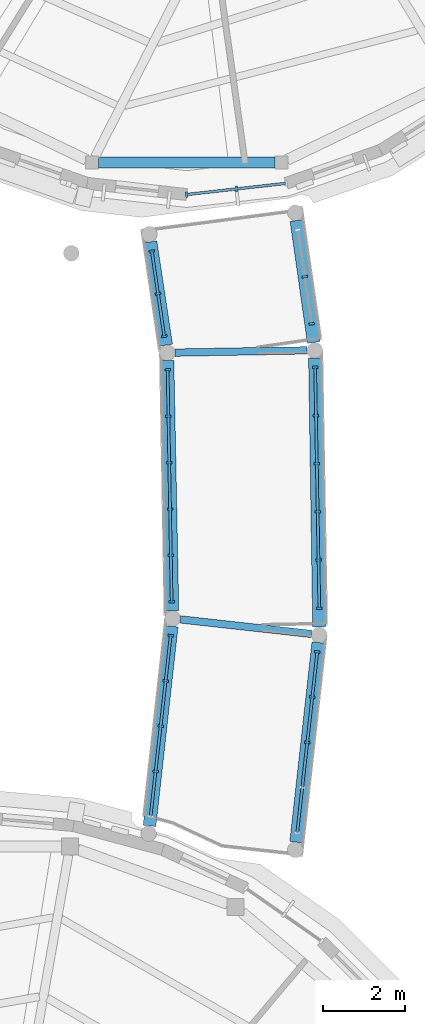
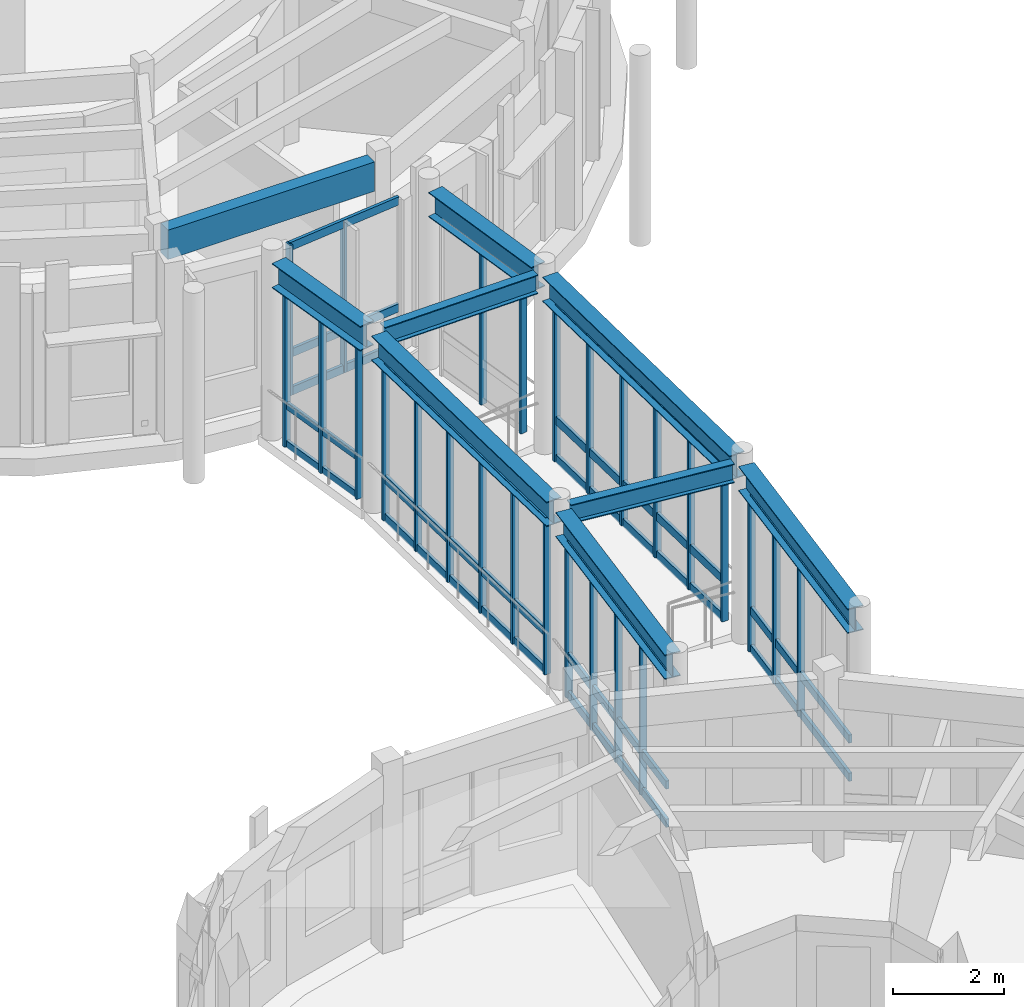
# One storey, part 9 of 80: 44 members, 9 beams, 7 elements without a shape of their own.
"""IFC4 building model written with IfcOpenShell, lengths in metres."""

from ifc_helpers import new_model, si_unit, direction, frame, origin, origin_2d, place, context, subcontext, project, spatial, rectangle, i_section, extrude, material, layer, layer_set, material_profile, profile_set, type_object, element, aggregate, save


model = new_model("IFC4")

# Units and contexts
model_context = context("Model", 3, precision=1e-05, world=origin(), true_north=direction((0.0, 1.0)))
body_context = subcontext(model_context, "Body", "Model", "MODEL_VIEW")
ifc_project = project(units=[si_unit("LENGTHUNIT", "METRE"), si_unit("AREAUNIT", "SQUARE_METRE"), si_unit("VOLUMEUNIT", "CUBIC_METRE"), si_unit("PLANEANGLEUNIT", "RADIAN"), si_unit("MASSUNIT", "GRAM", prefix="KILO")], contexts=[model_context])

# Site, building, storey
site_placement = place(None, origin())
site = spatial("IfcSite", under=ifc_project, at=site_placement, CompositionType="ELEMENT")
building_placement = place(site_placement, origin())
building = spatial("IfcBuilding", under=site, at=building_placement, Name="Aldenvaro Health Centre", CompositionType="ELEMENT")
storey_placement = place(building_placement, frame((0.0, 0.0, 4.550048828125)))
storey = spatial("IfcBuildingStorey", under=building, at=storey_placement, Name="L01", CompositionType="ELEMENT", Elevation=4.550048828125)

# Beams
ifc_material_1 = material(Name="Glulam GL28h", Category="wood")
ifc_material_profile_1 = material_profile(ifc_material_1, rectangle(XDim=0.264892578125, YDim=0.64599609375, at=origin_2d()), Name="GL 265x646", Category="wood")
ifc_profile_set_1 = profile_set([ifc_material_profile_1], Name="Glulam GL28h")
beam_type_1 = type_object("IfcBeamType", Name="BM-GL-646", PredefinedType="SPANDREL", material=ifc_profile_set_1)
beam_1_placement = place(storey_placement, frame((21.347900390625, 47.3798828125, 3.636962890625), z_axis=(1.0, 0.0, 0.0), x_axis=(0.0, 1.0, 0.0)))
element("IfcBeam", 1, at=beam_1_placement, inside=storey, type_object=beam_type_1, Name="D3 L01 perimeter spandrel 11", PredefinedType="SPANDREL", context=body_context, shape_type="SweptSolid", body=[
    extrude(rectangle(XDim=0.264892578125, YDim=0.64599609375, at=origin_2d()), origin(), (0.0, 0.0, 1.0), 4.30419921875),
])
ifc_material_2 = material(Name="Steel ASTM A992 Grade 50", Category="steel")
ifc_material_profile_2 = material_profile(ifc_material_2, i_section(OverallWidth=0.180908203125, OverallDepth=0.4169921875, WebThickness=0.010986328125, FlangeThickness=0.018310546875, at=origin_2d()), Name="W16X57", Category="steel")
ifc_profile_set_2 = profile_set([ifc_material_profile_2], Name="Steel ASTM A992 Grade 50")
beam_type_2 = type_object("IfcBeamType", Name="BM-ST-W16E", PredefinedType="JOIST", material=ifc_profile_set_2)
beam_2_placement = place(storey_placement, frame((23.343017578125, 36.235107421875, 3.740966796875), z_axis=(0.993861521401, -0.110631262663, 0.0), x_axis=(0.110631262663, 0.993861521401, 0.0)))
element("IfcBeam", 2, at=beam_2_placement, inside=storey, type_object=beam_type_2, Name="West South Curved Garden Walkway Arc 1 L01 cross beam 2", PredefinedType="JOIST", context=body_context, shape_type="SweptSolid", body=[
    extrude(i_section(OverallWidth=0.180908203125, OverallDepth=0.4169921875, WebThickness=0.010986328125, FlangeThickness=0.018310546875, at=origin_2d()), origin(), (0.0, 0.0, 1.0), 3.2197265625),
])
beam_3_placement = place(storey_placement, frame((23.216064453125, 42.742919921875, 3.740966796875), z_axis=(0.99984797924, 0.017436123681, 0.0), x_axis=(-0.017436123681, 0.99984797924, 0.0)))
element("IfcBeam", 3, at=beam_3_placement, inside=storey, type_object=beam_type_2, Name="West South Curved Garden Walkway Arc 2 L01 cross beam 2", PredefinedType="JOIST", context=body_context, shape_type="SweptSolid", body=[
    extrude(i_section(OverallWidth=0.180908203125, OverallDepth=0.4169921875, WebThickness=0.010986328125, FlangeThickness=0.018310546875, at=origin_2d()), origin(), (0.0, 0.0, 1.0), 3.220458984375),
])
ifc_material_profile_3 = material_profile(ifc_material_2, i_section(OverallWidth=0.31201171875, OverallDepth=0.54296875, WebThickness=0.0126953125, FlangeThickness=0.020263671875, at=origin_2d()), Name="W21X101", Category="steel")
ifc_profile_set_3 = profile_set([ifc_material_profile_3], Name="Steel ASTM A992 Grade 50")
beam_type_3 = type_object("IfcBeamType", Name="BM-ST-W21E", PredefinedType="BEAM", material=ifc_profile_set_3)
beam_4_placement = place(storey_placement, frame((22.592041015625, 31.197021484375, 3.678955078125), z_axis=(0.110415119833, 0.993885557452, 0.0), x_axis=(-0.993885557452, 0.110415119833, 0.0)))
element("IfcBeam", 4, at=beam_4_placement, inside=storey, type_object=beam_type_3, Name="West South Curved Garden Walkway Arc 1 L01 girder L-1", PredefinedType="BEAM", context=body_context, shape_type="SweptSolid", body=[
    extrude(i_section(OverallWidth=0.31201171875, OverallDepth=0.54296875, WebThickness=0.0126953125, FlangeThickness=0.020263671875, at=origin_2d()), origin(), (0.0, 0.0, 1.0), 4.89990234375),
])
beam_5_placement = place(storey_placement, frame((26.169921875, 30.800048828125, 3.678955078125), z_axis=(0.110436995899, 0.9938831269, 0.0), x_axis=(-0.9938831269, 0.110436995899, 0.0)))
element("IfcBeam", 5, at=beam_5_placement, inside=storey, type_object=beam_type_3, Name="West South Curved Garden Walkway Arc 1 L01 girder R-1", PredefinedType="BEAM", context=body_context, shape_type="SweptSolid", body=[
    extrude(i_section(OverallWidth=0.31201171875, OverallDepth=0.54296875, WebThickness=0.0126953125, FlangeThickness=0.020263671875, at=origin_2d()), origin(), (0.0, 0.0, 1.0), 4.89892578125),
])
beam_6_placement = place(storey_placement, frame((23.14990234375, 36.446044921875, 3.678955078125), z_axis=(-0.019634643065, 0.999807221814, 0.0), x_axis=(-0.999807221814, -0.019634643065, 0.0)))
element("IfcBeam", 6, at=beam_6_placement, inside=storey, type_object=beam_type_3, Name="West South Curved Garden Walkway Arc 2 L01 girder L-1", PredefinedType="BEAM", context=body_context, shape_type="SweptSolid", body=[
    extrude(i_section(OverallWidth=0.31201171875, OverallDepth=0.54296875, WebThickness=0.0126953125, FlangeThickness=0.020263671875, at=origin_2d()), origin(), (0.0, 0.0, 1.0), 6.105224609375),
])
beam_7_placement = place(storey_placement, frame((26.72900390625, 36.048095703125, 3.678955078125), z_axis=(-0.015247799437, 0.999883745549, 0.0), x_axis=(-0.999883745549, -0.015247799437, 0.0)))
element("IfcBeam", 7, at=beam_7_placement, inside=storey, type_object=beam_type_3, Name="West South Curved Garden Walkway Arc 2 L01 girder R-1", PredefinedType="BEAM", context=body_context, shape_type="SweptSolid", body=[
    extrude(i_section(OverallWidth=0.31201171875, OverallDepth=0.54296875, WebThickness=0.0126953125, FlangeThickness=0.020263671875, at=origin_2d()), origin(), (0.0, 0.0, 1.0), 6.564697265625),
])
beam_8_placement = place(storey_placement, frame((22.998046875, 42.927978515625, 3.678955078125), z_axis=(-0.150132174235, 0.988665934611, 0.0), x_axis=(-0.988665934611, -0.150132174235, 0.0)))
element("IfcBeam", 8, at=beam_8_placement, inside=storey, type_object=beam_type_3, Name="West South Curved Garden Walkway Arc 3 L01 girder L-1", PredefinedType="BEAM", context=body_context, shape_type="SweptSolid", body=[
    extrude(i_section(OverallWidth=0.31201171875, OverallDepth=0.54296875, WebThickness=0.0126953125, FlangeThickness=0.020263671875, at=origin_2d()), origin(), (0.0, 0.0, 1.0), 2.544921875),
])
beam_9_placement = place(storey_placement, frame((26.59912109375, 42.989990234375, 3.678955078125), z_axis=(-0.140432007513, 0.990090324802, 0.0), x_axis=(-0.990090324802, -0.140432007513, 0.0)))
element("IfcBeam", 9, at=beam_9_placement, inside=storey, type_object=beam_type_3, Name="West South Curved Garden Walkway Arc 3 L01 girder R-1", PredefinedType="BEAM", context=body_context, shape_type="SweptSolid", body=[
    extrude(i_section(OverallWidth=0.31201171875, OverallDepth=0.54296875, WebThickness=0.0126953125, FlangeThickness=0.020263671875, at=origin_2d()), origin(), (0.0, 0.0, 1.0), 3.005859375),
])

# Curtain wall, members
ifc_material_3 = material(Name="Anodised Aluminium 6063-T6", Category="aluminium")
ifc_layer_1 = layer(ifc_material_3, 0.195068359375, Name="Anodised Aluminium 6063-T6", Category="aluminium")
ifc_layer_set_1 = layer_set([ifc_layer_1], Name="Anodised Aluminium 6063-T6")
curtain_wall_type_1 = type_object("IfcCurtainWallType", Name="CW-CLN-02", PredefinedType="NOTDEFINED", material=ifc_layer_set_1)
curtain_wall_1_placement = place(storey_placement, origin())
curtain_wall_1 = element("IfcCurtainWall", 10, at=curtain_wall_1_placement, inside=storey, type_object=curtain_wall_type_1, Name="D3 L01 curtain wall bay 07", PredefinedType="NOTDEFINED")
ifc_material_profile_4 = material_profile(ifc_material_3, rectangle(XDim=0.06005859375, YDim=0.135009765625, at=origin_2d()), Name="ALU 60x135", Category="aluminium")
ifc_profile_set_4 = profile_set([ifc_material_profile_4], Name="Anodised Aluminium 6063-T6")
member_type_1 = type_object("IfcMemberType", Name="CWM-150", PredefinedType="MULLION", material=ifc_profile_set_4)
member_1_placement = place(storey_placement, frame((24.7119140625, 46.736083984375, 0.0), z_axis=(0.0, 0.0, 1.0), x_axis=(-0.993722777443, -0.111870646695, 0.0)))
member_1 = element("IfcMember", 11, at=member_1_placement, type_object=member_type_1, Name="D3 L01 curtain wall bay 07 mullion 2", PredefinedType="MULLION", context=body_context, shape_type="SweptSolid", body=[
    extrude(rectangle(XDim=0.06005859375, YDim=0.135009765625, at=origin_2d()), origin(), (0.0, 0.0, 1.0), 3.31396484375),
])
member_2_placement = place(storey_placement, frame((23.5, 46.60009765625, 0.0), z_axis=(0.0, 0.0, 1.0), x_axis=(-0.993722777443, -0.111870646695, 0.0)))
member_2 = element("IfcMember", 12, at=member_2_placement, type_object=member_type_1, Name="D3 L01 curtain wall bay 07 mullion 3", PredefinedType="MULLION", context=body_context, shape_type="SweptSolid", body=[
    extrude(rectangle(XDim=0.06005859375, YDim=0.135009765625, at=origin_2d()), origin(), (0.0, 0.0, 1.0), 3.31396484375),
])

ifc_layer_2 = layer(ifc_material_3, 0.2099609375, Name="Anodised Aluminium 6063-T6", Category="aluminium")
ifc_layer_set_2 = layer_set([ifc_layer_2], Name="Anodised Aluminium 6063-T6")
curtain_wall_type_2 = type_object("IfcCurtainWallType", Name="CW-BRG-03", PredefinedType="NOTDEFINED", material=ifc_layer_set_2)
curtain_wall_2_placement = place(storey_placement, origin())
curtain_wall_2 = element("IfcCurtainWall", 13, at=curtain_wall_2_placement, inside=storey, type_object=curtain_wall_type_2, Name="West South Curved Garden Walkway Arc 1 L01 glazed link wall L-1.1", PredefinedType="NOTDEFINED")
member_3_placement = place(storey_placement, frame((22.739990234375, 32.529052734375, 0.0), z_axis=(0.0, 0.0, 1.0), x_axis=(0.11038207653, 0.993889227822, 0.0)))
member_3 = element("IfcMember", 14, at=member_3_placement, type_object=member_type_1, Name="West South Curved Garden Walkway Arc 1 L01 glazed link wall L-1.1 mullion 2", PredefinedType="MULLION", context=body_context, shape_type="SweptSolid", body=[
    extrude(rectangle(XDim=0.06005859375, YDim=0.135009765625, at=origin_2d()), origin(), (0.0, 0.0, 1.0), 3.409912109375),
])
member_4_placement = place(storey_placement, frame((22.863037109375, 33.632080078125, 0.0), z_axis=(0.0, 0.0, 1.0), x_axis=(0.11038207653, 0.993889227822, 0.0)))
member_4 = element("IfcMember", 15, at=member_4_placement, type_object=member_type_1, Name="West South Curved Garden Walkway Arc 1 L01 glazed link wall L-1.1 mullion 3", PredefinedType="MULLION", context=body_context, shape_type="SweptSolid", body=[
    extrude(rectangle(XDim=0.06005859375, YDim=0.135009765625, at=origin_2d()), origin(), (0.0, 0.0, 1.0), 3.409912109375),
])
member_5_placement = place(storey_placement, frame((22.986083984375, 34.735107421875, 0.0), z_axis=(0.0, 0.0, 1.0), x_axis=(0.11038207653, 0.993889227822, 0.0)))
member_5 = element("IfcMember", 16, at=member_5_placement, type_object=member_type_1, Name="West South Curved Garden Walkway Arc 1 L01 glazed link wall L-1.1 mullion 4", PredefinedType="MULLION", context=body_context, shape_type="SweptSolid", body=[
    extrude(rectangle(XDim=0.06005859375, YDim=0.135009765625, at=origin_2d()), origin(), (0.0, 0.0, 1.0), 3.409912109375),
])
member_6_placement = place(storey_placement, frame((23.10791015625, 35.837890625, 0.0), z_axis=(0.0, 0.0, 1.0), x_axis=(0.11038207653, 0.993889227822, 0.0)))
member_6 = element("IfcMember", 17, at=member_6_placement, type_object=member_type_1, Name="West South Curved Garden Walkway Arc 1 L01 glazed link wall L-1.1 mullion 5", PredefinedType="MULLION", context=body_context, shape_type="SweptSolid", body=[
    extrude(rectangle(XDim=0.06005859375, YDim=0.135009765625, at=origin_2d()), origin(), (0.0, 0.0, 1.0), 3.409912109375),
])

curtain_wall_3_placement = place(storey_placement, origin())
curtain_wall_3 = element("IfcCurtainWall", 18, at=curtain_wall_3_placement, inside=storey, type_object=curtain_wall_type_2, Name="West South Curved Garden Walkway Arc 1 L01 glazed link wall R-1.1", PredefinedType="NOTDEFINED")
member_7_placement = place(storey_placement, frame((26.44091796875, 33.235107421875, 0.0), z_axis=(0.0, 0.0, 1.0), x_axis=(0.11038207653, 0.993889227822, 0.0)))
member_7 = element("IfcMember", 19, at=member_7_placement, type_object=member_type_1, Name="West South Curved Garden Walkway Arc 1 L01 glazed link wall R-1.1 mullion 3", PredefinedType="MULLION", context=body_context, shape_type="SweptSolid", body=[
    extrude(rectangle(XDim=0.06005859375, YDim=0.135009765625, at=origin_2d()), origin(), (0.0, 0.0, 1.0), 3.409912109375),
])
member_8_placement = place(storey_placement, frame((26.56396484375, 34.337890625, 0.0), z_axis=(0.0, 0.0, 1.0), x_axis=(0.11038207653, 0.993889227822, 0.0)))
member_8 = element("IfcMember", 20, at=member_8_placement, type_object=member_type_1, Name="West South Curved Garden Walkway Arc 1 L01 glazed link wall R-1.1 mullion 4", PredefinedType="MULLION", context=body_context, shape_type="SweptSolid", body=[
    extrude(rectangle(XDim=0.06005859375, YDim=0.135009765625, at=origin_2d()), origin(), (0.0, 0.0, 1.0), 3.409912109375),
])
member_9_placement = place(storey_placement, frame((26.68603515625, 35.44091796875, 0.0), z_axis=(0.0, 0.0, 1.0), x_axis=(0.11038207653, 0.993889227822, 0.0)))
member_9 = element("IfcMember", 21, at=member_9_placement, type_object=member_type_1, Name="West South Curved Garden Walkway Arc 1 L01 glazed link wall R-1.1 mullion 5", PredefinedType="MULLION", context=body_context, shape_type="SweptSolid", body=[
    extrude(rectangle(XDim=0.06005859375, YDim=0.135009765625, at=origin_2d()), origin(), (0.0, 0.0, 1.0), 3.409912109375),
])

curtain_wall_4_placement = place(storey_placement, origin())
curtain_wall_4 = element("IfcCurtainWall", 22, at=curtain_wall_4_placement, inside=storey, type_object=curtain_wall_type_2, Name="West South Curved Garden Walkway Arc 2 L01 glazed link wall L-1.1", PredefinedType="NOTDEFINED")
member_10_placement = place(storey_placement, frame((23.132080078125, 36.6650390625, 0.0), z_axis=(0.0, 0.0, 1.0), x_axis=(-0.017327194963, 0.999849872888, 0.0)))
member_10 = element("IfcMember", 23, at=member_10_placement, type_object=member_type_1, Name="West South Curved Garden Walkway Arc 2 L01 glazed link wall L-1.1 mullion 1", PredefinedType="MULLION", context=body_context, shape_type="SweptSolid", body=[
    extrude(rectangle(XDim=0.06005859375, YDim=0.135009765625, at=origin_2d()), origin(), (0.0, 0.0, 1.0), 3.409912109375),
])
member_11_placement = place(storey_placement, frame((23.112060546875, 37.7958984375, 0.0), z_axis=(0.0, 0.0, 1.0), x_axis=(-0.017327194963, 0.999849872888, 0.0)))
member_11 = element("IfcMember", 24, at=member_11_placement, type_object=member_type_1, Name="West South Curved Garden Walkway Arc 2 L01 glazed link wall L-1.1 mullion 2", PredefinedType="MULLION", context=body_context, shape_type="SweptSolid", body=[
    extrude(rectangle(XDim=0.06005859375, YDim=0.135009765625, at=origin_2d()), origin(), (0.0, 0.0, 1.0), 3.409912109375),
])
member_12_placement = place(storey_placement, frame((23.093017578125, 38.927001953125, 0.0), z_axis=(0.0, 0.0, 1.0), x_axis=(-0.017327194963, 0.999849872888, 0.0)))
member_12 = element("IfcMember", 25, at=member_12_placement, type_object=member_type_1, Name="West South Curved Garden Walkway Arc 2 L01 glazed link wall L-1.1 mullion 3", PredefinedType="MULLION", context=body_context, shape_type="SweptSolid", body=[
    extrude(rectangle(XDim=0.06005859375, YDim=0.135009765625, at=origin_2d()), origin(), (0.0, 0.0, 1.0), 3.409912109375),
])
member_13_placement = place(storey_placement, frame((23.072998046875, 40.05810546875, 0.0), z_axis=(0.0, 0.0, 1.0), x_axis=(-0.017327194963, 0.999849872888, 0.0)))
member_13 = element("IfcMember", 26, at=member_13_placement, type_object=member_type_1, Name="West South Curved Garden Walkway Arc 2 L01 glazed link wall L-1.1 mullion 4", PredefinedType="MULLION", context=body_context, shape_type="SweptSolid", body=[
    extrude(rectangle(XDim=0.06005859375, YDim=0.135009765625, at=origin_2d()), origin(), (0.0, 0.0, 1.0), 3.409912109375),
])
member_14_placement = place(storey_placement, frame((23.053955078125, 41.18896484375, 0.0), z_axis=(0.0, 0.0, 1.0), x_axis=(-0.017327194963, 0.999849872888, 0.0)))
member_14 = element("IfcMember", 27, at=member_14_placement, type_object=member_type_1, Name="West South Curved Garden Walkway Arc 2 L01 glazed link wall L-1.1 mullion 5", PredefinedType="MULLION", context=body_context, shape_type="SweptSolid", body=[
    extrude(rectangle(XDim=0.06005859375, YDim=0.135009765625, at=origin_2d()), origin(), (0.0, 0.0, 1.0), 3.409912109375),
])
member_15_placement = place(storey_placement, frame((23.033935546875, 42.320068359375, 0.0), z_axis=(0.0, 0.0, 1.0), x_axis=(-0.017327194963, 0.999849872888, 0.0)))
member_15 = element("IfcMember", 28, at=member_15_placement, type_object=member_type_1, Name="West South Curved Garden Walkway Arc 2 L01 glazed link wall L-1.1 mullion 6", PredefinedType="MULLION", context=body_context, shape_type="SweptSolid", body=[
    extrude(rectangle(XDim=0.06005859375, YDim=0.135009765625, at=origin_2d()), origin(), (0.0, 0.0, 1.0), 3.409912109375),
])

curtain_wall_5_placement = place(storey_placement, origin())
curtain_wall_5 = element("IfcCurtainWall", 29, at=curtain_wall_5_placement, inside=storey, type_object=curtain_wall_type_2, Name="West South Curved Garden Walkway Arc 2 L01 glazed link wall R-1.1", PredefinedType="NOTDEFINED")
member_16_placement = place(storey_placement, frame((26.735107421875, 36.508056640625, 0.0), z_axis=(0.0, 0.0, 1.0), x_axis=(-0.01736204042, 0.999849268416, 0.0)))
member_16 = element("IfcMember", 30, at=member_16_placement, type_object=member_type_1, Name="West South Curved Garden Walkway Arc 2 L01 glazed link wall R-1.1 mullion 1", PredefinedType="MULLION", context=body_context, shape_type="SweptSolid", body=[
    extrude(rectangle(XDim=0.06005859375, YDim=0.135009765625, at=origin_2d()), origin(), (0.0, 0.0, 1.0), 3.409912109375),
])
member_17_placement = place(storey_placement, frame((26.715087890625, 37.68310546875, 0.0), z_axis=(0.0, 0.0, 1.0), x_axis=(-0.01736204042, 0.999849268416, 0.0)))
member_17 = element("IfcMember", 31, at=member_17_placement, type_object=member_type_1, Name="West South Curved Garden Walkway Arc 2 L01 glazed link wall R-1.1 mullion 2", PredefinedType="MULLION", context=body_context, shape_type="SweptSolid", body=[
    extrude(rectangle(XDim=0.06005859375, YDim=0.135009765625, at=origin_2d()), origin(), (0.0, 0.0, 1.0), 3.409912109375),
])
member_18_placement = place(storey_placement, frame((26.694091796875, 38.85791015625, 0.0), z_axis=(0.0, 0.0, 1.0), x_axis=(-0.01736204042, 0.999849268416, 0.0)))
member_18 = element("IfcMember", 32, at=member_18_placement, type_object=member_type_1, Name="West South Curved Garden Walkway Arc 2 L01 glazed link wall R-1.1 mullion 3", PredefinedType="MULLION", context=body_context, shape_type="SweptSolid", body=[
    extrude(rectangle(XDim=0.06005859375, YDim=0.135009765625, at=origin_2d()), origin(), (0.0, 0.0, 1.0), 3.409912109375),
])
member_19_placement = place(storey_placement, frame((26.674072265625, 40.031982421875, 0.0), z_axis=(0.0, 0.0, 1.0), x_axis=(-0.01736204042, 0.999849268416, 0.0)))
member_19 = element("IfcMember", 33, at=member_19_placement, type_object=member_type_1, Name="West South Curved Garden Walkway Arc 2 L01 glazed link wall R-1.1 mullion 4", PredefinedType="MULLION", context=body_context, shape_type="SweptSolid", body=[
    extrude(rectangle(XDim=0.06005859375, YDim=0.135009765625, at=origin_2d()), origin(), (0.0, 0.0, 1.0), 3.409912109375),
])
member_20_placement = place(storey_placement, frame((26.653076171875, 41.20703125, 0.0), z_axis=(0.0, 0.0, 1.0), x_axis=(-0.01736204042, 0.999849268416, 0.0)))
member_20 = element("IfcMember", 34, at=member_20_placement, type_object=member_type_1, Name="West South Curved Garden Walkway Arc 2 L01 glazed link wall R-1.1 mullion 5", PredefinedType="MULLION", context=body_context, shape_type="SweptSolid", body=[
    extrude(rectangle(XDim=0.06005859375, YDim=0.135009765625, at=origin_2d()), origin(), (0.0, 0.0, 1.0), 3.409912109375),
])
member_21_placement = place(storey_placement, frame((26.633056640625, 42.382080078125, 0.0), z_axis=(0.0, 0.0, 1.0), x_axis=(-0.01736204042, 0.999849268416, 0.0)))
member_21 = element("IfcMember", 35, at=member_21_placement, type_object=member_type_1, Name="West South Curved Garden Walkway Arc 2 L01 glazed link wall R-1.1 mullion 6", PredefinedType="MULLION", context=body_context, shape_type="SweptSolid", body=[
    extrude(rectangle(XDim=0.06005859375, YDim=0.135009765625, at=origin_2d()), origin(), (0.0, 0.0, 1.0), 3.409912109375),
])

curtain_wall_6_placement = place(storey_placement, origin())
curtain_wall_6 = element("IfcCurtainWall", 36, at=curtain_wall_6_placement, inside=storey, type_object=curtain_wall_type_2, Name="West South Curved Garden Walkway Arc 3 L01 glazed link wall L-1.1", PredefinedType="NOTDEFINED")
member_22_placement = place(storey_placement, frame((22.951904296875, 43.14306640625, 0.0), z_axis=(0.0, 0.0, 1.0), x_axis=(-0.144628209814, 0.989486069091, 0.0)))
member_22 = element("IfcMember", 37, at=member_22_placement, type_object=member_type_1, Name="West South Curved Garden Walkway Arc 3 L01 glazed link wall L-1.1 mullion 1", PredefinedType="MULLION", context=body_context, shape_type="SweptSolid", body=[
    extrude(rectangle(XDim=0.06005859375, YDim=0.135009765625, at=origin_2d()), origin(), (0.0, 0.0, 1.0), 3.409912109375),
])
member_23_placement = place(storey_placement, frame((22.800048828125, 44.179931640625, 0.0), z_axis=(0.0, 0.0, 1.0), x_axis=(-0.144628209814, 0.989486069091, 0.0)))
member_23 = element("IfcMember", 38, at=member_23_placement, type_object=member_type_1, Name="West South Curved Garden Walkway Arc 3 L01 glazed link wall L-1.1 mullion 2", PredefinedType="MULLION", context=body_context, shape_type="SweptSolid", body=[
    extrude(rectangle(XDim=0.06005859375, YDim=0.135009765625, at=origin_2d()), origin(), (0.0, 0.0, 1.0), 3.409912109375),
])
member_24_placement = place(storey_placement, frame((22.64892578125, 45.216064453125, 0.0), z_axis=(0.0, 0.0, 1.0), x_axis=(-0.144628209814, 0.989486069091, 0.0)))
member_24 = element("IfcMember", 39, at=member_24_placement, type_object=member_type_1, Name="West South Curved Garden Walkway Arc 3 L01 glazed link wall L-1.1 mullion 3", PredefinedType="MULLION", context=body_context, shape_type="SweptSolid", body=[
    extrude(rectangle(XDim=0.06005859375, YDim=0.135009765625, at=origin_2d()), origin(), (0.0, 0.0, 1.0), 3.409912109375),
])

curtain_wall_7_placement = place(storey_placement, origin())
curtain_wall_7 = element("IfcCurtainWall", 40, at=curtain_wall_7_placement, inside=storey, type_object=curtain_wall_type_2, Name="West South Curved Garden Walkway Arc 3 L01 glazed link wall R-1.1", PredefinedType="NOTDEFINED")
member_25_placement = place(storey_placement, frame((26.5458984375, 43.447021484375, 0.0), z_axis=(0.0, 0.0, 1.0), x_axis=(-0.144685733702, 0.989477659406, 0.0)))
member_25 = element("IfcMember", 41, at=member_25_placement, type_object=member_type_1, Name="West South Curved Garden Walkway Arc 3 L01 glazed link wall R-1.1 mullion 1", PredefinedType="MULLION", context=body_context, shape_type="SweptSolid", body=[
    extrude(rectangle(XDim=0.06005859375, YDim=0.135009765625, at=origin_2d()), origin(), (0.0, 0.0, 1.0), 3.409912109375),
])
member_26_placement = place(storey_placement, frame((26.3779296875, 44.593017578125, 0.0), z_axis=(0.0, 0.0, 1.0), x_axis=(-0.144685733702, 0.989477659406, 0.0)))
member_26 = element("IfcMember", 42, at=member_26_placement, type_object=member_type_1, Name="West South Curved Garden Walkway Arc 3 L01 glazed link wall R-1.1 mullion 2", PredefinedType="MULLION", context=body_context, shape_type="SweptSolid", body=[
    extrude(rectangle(XDim=0.06005859375, YDim=0.135009765625, at=origin_2d()), origin(), (0.0, 0.0, 1.0), 3.409912109375),
])
aggregate(curtain_wall_7, [member_25, member_26])

# Member
ifc_material_profile_5 = material_profile(ifc_material_3, rectangle(XDim=0.06494140625, YDim=0.14990234375, at=origin_2d()), Name="ALU 65x150", Category="aluminium")
ifc_profile_set_5 = profile_set([ifc_material_profile_5], Name="Anodised Aluminium 6063-T6")
member_type_2 = type_object("IfcMemberType", Name="CWT-120", PredefinedType="USERDEFINED", material=ifc_profile_set_5)
member_27_placement = place(storey_placement, frame((22.951904296875, 43.14306640625, 0.06005859375), z_axis=(-0.144618302759, 0.989487517105, 0.0), x_axis=(-0.989487517105, -0.144618302759, 0.0)))
member_27 = element("IfcMember", 43, at=member_27_placement, type_object=member_type_2, Name="West South Curved Garden Walkway Arc 3 L01 glazed link wall L-1.1 transom 1", ObjectType="TRANSOM", PredefinedType="USERDEFINED", context=body_context, shape_type="SweptSolid", body=[
    extrude(rectangle(XDim=0.06494140625, YDim=0.14990234375, at=origin_2d()), origin(), (0.0, 0.0, 1.0), 2.094970703125),
])

member_28_placement = place(storey_placement, frame((22.951904296875, 43.14306640625, 0.89990234375), z_axis=(-0.144618302759, 0.989487517105, 0.0), x_axis=(-0.989487517105, -0.144618302759, 0.0)))
member_28 = element("IfcMember", 44, at=member_28_placement, type_object=member_type_2, Name="West South Curved Garden Walkway Arc 3 L01 glazed link wall L-1.1 transom 2", ObjectType="TRANSOM", PredefinedType="USERDEFINED", context=body_context, shape_type="SweptSolid", body=[
    extrude(rectangle(XDim=0.06494140625, YDim=0.14990234375, at=origin_2d()), origin(), (0.0, 0.0, 1.0), 2.094970703125),
])

member_29_placement = place(storey_placement, frame((22.951904296875, 43.14306640625, 3.349853515625), z_axis=(-0.144618302759, 0.989487517105, 0.0), x_axis=(-0.989487517105, -0.144618302759, 0.0)))
member_29 = element("IfcMember", 45, at=member_29_placement, type_object=member_type_2, Name="West South Curved Garden Walkway Arc 3 L01 glazed link wall L-1.1 transom 3", ObjectType="TRANSOM", PredefinedType="USERDEFINED", context=body_context, shape_type="SweptSolid", body=[
    extrude(rectangle(XDim=0.06494140625, YDim=0.14990234375, at=origin_2d()), origin(), (0.0, 0.0, 1.0), 2.094970703125),
])

aggregate(curtain_wall_6, [member_22, member_23, member_24, member_27, member_28, member_29])

ifc_material_profile_6 = material_profile(ifc_material_3, rectangle(XDim=0.06494140625, YDim=0.179931640625, at=origin_2d()), Name="ALU 65x180", Category="aluminium")
ifc_profile_set_6 = profile_set([ifc_material_profile_6], Name="Anodised Aluminium 6063-T6")
member_type_3 = type_object("IfcMemberType", Name="CWT-150", PredefinedType="USERDEFINED", material=ifc_profile_set_6)
member_30_placement = place(storey_placement, frame((25.925048828125, 46.873046875, 0.06005859375), z_axis=(-0.993725340882, -0.111847873866, 0.0), x_axis=(0.111847873866, -0.993725340882, 0.0)))
member_30 = element("IfcMember", 46, at=member_30_placement, type_object=member_type_3, Name="D3 L01 curtain wall bay 07 transom 1", ObjectType="TRANSOM", PredefinedType="USERDEFINED", context=body_context, shape_type="SweptSolid", body=[
    extrude(rectangle(XDim=0.06494140625, YDim=0.179931640625, at=origin_2d()), origin(), (0.0, 0.0, 1.0), 2.4404296875),
])

member_31_placement = place(storey_placement, frame((25.925048828125, 46.873046875, 0.89990234375), z_axis=(-0.993725340882, -0.111847873866, 0.0), x_axis=(0.111847873866, -0.993725340882, 0.0)))
member_31 = element("IfcMember", 47, at=member_31_placement, type_object=member_type_3, Name="D3 L01 curtain wall bay 07 transom 2", ObjectType="TRANSOM", PredefinedType="USERDEFINED", context=body_context, shape_type="SweptSolid", body=[
    extrude(rectangle(XDim=0.06494140625, YDim=0.179931640625, at=origin_2d()), origin(), (0.0, 0.0, 1.0), 2.4404296875),
])

member_32_placement = place(storey_placement, frame((25.925048828125, 46.873046875, 3.25390625), z_axis=(-0.993725340882, -0.111847873866, 0.0), x_axis=(0.111847873866, -0.993725340882, 0.0)))
member_32 = element("IfcMember", 48, at=member_32_placement, type_object=member_type_3, Name="D3 L01 curtain wall bay 07 transom 3", ObjectType="TRANSOM", PredefinedType="USERDEFINED", context=body_context, shape_type="SweptSolid", body=[
    extrude(rectangle(XDim=0.06494140625, YDim=0.179931640625, at=origin_2d()), origin(), (0.0, 0.0, 1.0), 2.4404296875),
])

aggregate(curtain_wall_1, [member_1, member_2, member_30, member_31, member_32])

member_33_placement = place(storey_placement, frame((22.617919921875, 31.426025390625, 0.06005859375), z_axis=(0.110383234034, 0.993889099268, 0.0), x_axis=(-0.993889099268, 0.110383234034, 0.0)))
member_33 = element("IfcMember", 49, at=member_33_placement, type_object=member_type_3, Name="West South Curved Garden Walkway Arc 1 L01 glazed link wall L-1.1 transom 1", ObjectType="TRANSOM", PredefinedType="USERDEFINED", context=body_context, shape_type="SweptSolid", body=[
    extrude(rectangle(XDim=0.06494140625, YDim=0.179931640625, at=origin_2d()), origin(), (0.0, 0.0, 1.0), 4.43896484375),
])

member_34_placement = place(storey_placement, frame((22.617919921875, 31.426025390625, 0.89990234375), z_axis=(0.110383234034, 0.993889099268, 0.0), x_axis=(-0.993889099268, 0.110383234034, 0.0)))
member_34 = element("IfcMember", 50, at=member_34_placement, type_object=member_type_3, Name="West South Curved Garden Walkway Arc 1 L01 glazed link wall L-1.1 transom 2", ObjectType="TRANSOM", PredefinedType="USERDEFINED", context=body_context, shape_type="SweptSolid", body=[
    extrude(rectangle(XDim=0.06494140625, YDim=0.179931640625, at=origin_2d()), origin(), (0.0, 0.0, 1.0), 4.43896484375),
])

member_35_placement = place(storey_placement, frame((22.617919921875, 31.426025390625, 3.349853515625), z_axis=(0.110383234034, 0.993889099268, 0.0), x_axis=(-0.993889099268, 0.110383234034, 0.0)))
member_35 = element("IfcMember", 51, at=member_35_placement, type_object=member_type_3, Name="West South Curved Garden Walkway Arc 1 L01 glazed link wall L-1.1 transom 3", ObjectType="TRANSOM", PredefinedType="USERDEFINED", context=body_context, shape_type="SweptSolid", body=[
    extrude(rectangle(XDim=0.06494140625, YDim=0.179931640625, at=origin_2d()), origin(), (0.0, 0.0, 1.0), 4.43896484375),
])

aggregate(curtain_wall_2, [member_3, member_4, member_5, member_6, member_33, member_34, member_35])

member_36_placement = place(storey_placement, frame((26.196044921875, 31.029052734375, 0.06005859375), z_axis=(0.110383234034, 0.993889099268, 0.0), x_axis=(-0.993889099268, 0.110383234034, 0.0)))
member_36 = element("IfcMember", 52, at=member_36_placement, type_object=member_type_3, Name="West South Curved Garden Walkway Arc 1 L01 glazed link wall R-1.1 transom 1", ObjectType="TRANSOM", PredefinedType="USERDEFINED", context=body_context, shape_type="SweptSolid", body=[
    extrude(rectangle(XDim=0.06494140625, YDim=0.179931640625, at=origin_2d()), origin(), (0.0, 0.0, 1.0), 4.43896484375),
])

member_37_placement = place(storey_placement, frame((26.196044921875, 31.029052734375, 0.89990234375), z_axis=(0.110383234034, 0.993889099268, 0.0), x_axis=(-0.993889099268, 0.110383234034, 0.0)))
member_37 = element("IfcMember", 53, at=member_37_placement, type_object=member_type_3, Name="West South Curved Garden Walkway Arc 1 L01 glazed link wall R-1.1 transom 2", ObjectType="TRANSOM", PredefinedType="USERDEFINED", context=body_context, shape_type="SweptSolid", body=[
    extrude(rectangle(XDim=0.06494140625, YDim=0.179931640625, at=origin_2d()), origin(), (0.0, 0.0, 1.0), 4.43896484375),
])

member_38_placement = place(storey_placement, frame((26.196044921875, 31.029052734375, 3.349853515625), z_axis=(0.110383234034, 0.993889099268, 0.0), x_axis=(-0.993889099268, 0.110383234034, 0.0)))
member_38 = element("IfcMember", 54, at=member_38_placement, type_object=member_type_3, Name="West South Curved Garden Walkway Arc 1 L01 glazed link wall R-1.1 transom 3", ObjectType="TRANSOM", PredefinedType="USERDEFINED", context=body_context, shape_type="SweptSolid", body=[
    extrude(rectangle(XDim=0.06494140625, YDim=0.179931640625, at=origin_2d()), origin(), (0.0, 0.0, 1.0), 4.43896484375),
])

aggregate(curtain_wall_3, [member_7, member_8, member_9, member_36, member_37, member_38])

member_39_placement = place(storey_placement, frame((23.132080078125, 36.6650390625, 0.06005859375), z_axis=(-0.017352651704, 0.999849431404, 0.0), x_axis=(-0.999849431404, -0.017352651704, 0.0)))
member_39 = element("IfcMember", 55, at=member_39_placement, type_object=member_type_3, Name="West South Curved Garden Walkway Arc 2 L01 glazed link wall L-1.1 transom 1", ObjectType="TRANSOM", PredefinedType="USERDEFINED", context=body_context, shape_type="SweptSolid", body=[
    extrude(rectangle(XDim=0.06494140625, YDim=0.179931640625, at=origin_2d()), origin(), (0.0, 0.0, 1.0), 5.65576171875),
])

member_40_placement = place(storey_placement, frame((23.132080078125, 36.6650390625, 0.89990234375), z_axis=(-0.017352651704, 0.999849431404, 0.0), x_axis=(-0.999849431404, -0.017352651704, 0.0)))
member_40 = element("IfcMember", 56, at=member_40_placement, type_object=member_type_3, Name="West South Curved Garden Walkway Arc 2 L01 glazed link wall L-1.1 transom 2", ObjectType="TRANSOM", PredefinedType="USERDEFINED", context=body_context, shape_type="SweptSolid", body=[
    extrude(rectangle(XDim=0.06494140625, YDim=0.179931640625, at=origin_2d()), origin(), (0.0, 0.0, 1.0), 5.65576171875),
])

member_41_placement = place(storey_placement, frame((23.132080078125, 36.6650390625, 3.349853515625), z_axis=(-0.017352651704, 0.999849431404, 0.0), x_axis=(-0.999849431404, -0.017352651704, 0.0)))
member_41 = element("IfcMember", 57, at=member_41_placement, type_object=member_type_3, Name="West South Curved Garden Walkway Arc 2 L01 glazed link wall L-1.1 transom 3", ObjectType="TRANSOM", PredefinedType="USERDEFINED", context=body_context, shape_type="SweptSolid", body=[
    extrude(rectangle(XDim=0.06494140625, YDim=0.179931640625, at=origin_2d()), origin(), (0.0, 0.0, 1.0), 5.65576171875),
])

aggregate(curtain_wall_4, [member_10, member_11, member_12, member_13, member_14, member_15, member_39, member_40, member_41])

member_42_placement = place(storey_placement, frame((26.735107421875, 36.508056640625, 0.06005859375), z_axis=(-0.017370612301, 0.999849119532, 0.0), x_axis=(-0.999849119532, -0.017370612301, 0.0)))
member_42 = element("IfcMember", 58, at=member_42_placement, type_object=member_type_3, Name="West South Curved Garden Walkway Arc 2 L01 glazed link wall R-1.1 transom 1", ObjectType="TRANSOM", PredefinedType="USERDEFINED", context=body_context, shape_type="SweptSolid", body=[
    extrude(rectangle(XDim=0.06494140625, YDim=0.179931640625, at=origin_2d()), origin(), (0.0, 0.0, 1.0), 5.875),
])

member_43_placement = place(storey_placement, frame((26.735107421875, 36.508056640625, 0.89990234375), z_axis=(-0.017370612301, 0.999849119532, 0.0), x_axis=(-0.999849119532, -0.017370612301, 0.0)))
member_43 = element("IfcMember", 59, at=member_43_placement, type_object=member_type_3, Name="West South Curved Garden Walkway Arc 2 L01 glazed link wall R-1.1 transom 2", ObjectType="TRANSOM", PredefinedType="USERDEFINED", context=body_context, shape_type="SweptSolid", body=[
    extrude(rectangle(XDim=0.06494140625, YDim=0.179931640625, at=origin_2d()), origin(), (0.0, 0.0, 1.0), 5.875),
])

member_44_placement = place(storey_placement, frame((26.735107421875, 36.508056640625, 3.349853515625), z_axis=(-0.017370612301, 0.999849119532, 0.0), x_axis=(-0.999849119532, -0.017370612301, 0.0)))
member_44 = element("IfcMember", 60, at=member_44_placement, type_object=member_type_3, Name="West South Curved Garden Walkway Arc 2 L01 glazed link wall R-1.1 transom 3", ObjectType="TRANSOM", PredefinedType="USERDEFINED", context=body_context, shape_type="SweptSolid", body=[
    extrude(rectangle(XDim=0.06494140625, YDim=0.179931640625, at=origin_2d()), origin(), (0.0, 0.0, 1.0), 5.875),
])

aggregate(curtain_wall_5, [member_16, member_17, member_18, member_19, member_20, member_21, member_42, member_43, member_44])

save(model, "model.ifc")
